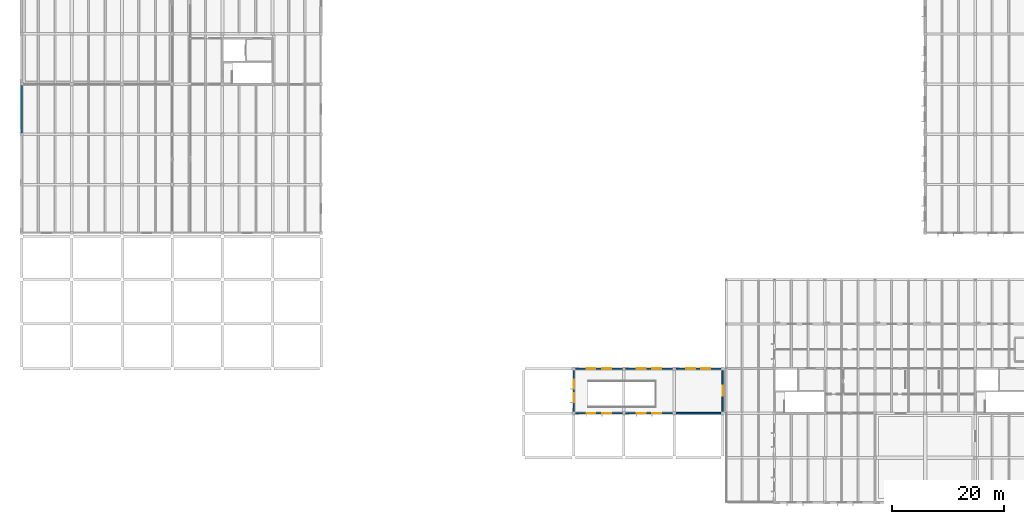
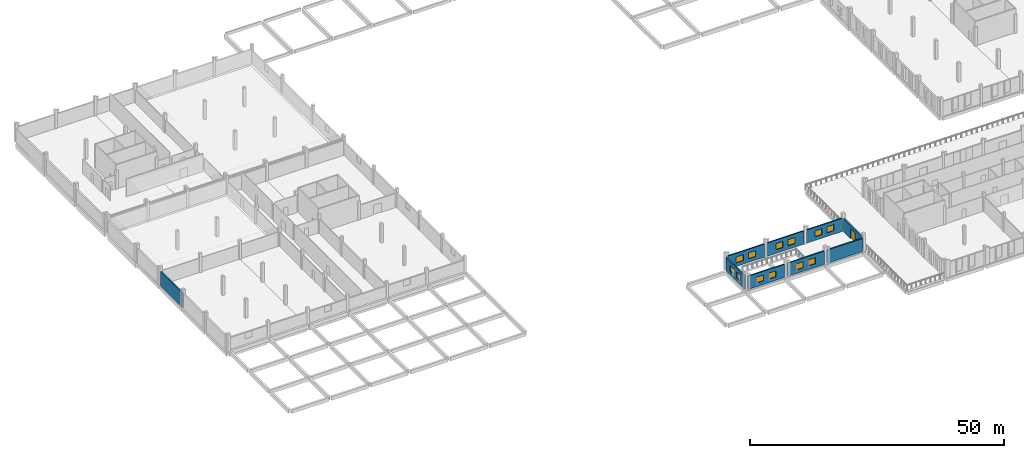
# One storey, part 9 of 25: 12 windows, 9 walls, 1 door, 13 openings.
"""IFC4 building model written with IfcOpenShell, lengths in metres."""

from ifc_helpers import new_model, si_unit, direction, frame, frame_2d, origin, place, context, subcontext, project, spatial, rectangle, extrude, material, layer, layer_set, type_object, element, fill, save


model = new_model("IFC4")

# Units and contexts
model_context = context("Model", 3, precision=1e-05, world=origin(), true_north=direction((0.0, 1.0)))
body_context = subcontext(model_context, "Body", "Model", "MODEL_VIEW")
ifc_project = project(units=[si_unit("LENGTHUNIT", "METRE"), si_unit("AREAUNIT", "SQUARE_METRE"), si_unit("VOLUMEUNIT", "CUBIC_METRE"), si_unit("PLANEANGLEUNIT", "RADIAN"), si_unit("MASSUNIT", "GRAM", prefix="KILO")], contexts=[model_context])

# Site, building, storey
site_placement = place(None, origin())
site = spatial("IfcSite", under=ifc_project, at=site_placement, CompositionType="ELEMENT")
building_placement = place(site_placement, origin())
building = spatial("IfcBuilding", under=site, at=building_placement, Name="Zacnel Wholesale Market", CompositionType="ELEMENT")
storey_placement = place(building_placement, frame((0.0, 0.0, 15.75)))
storey = spatial("IfcBuildingStorey", under=building, at=storey_placement, Name="L04", CompositionType="ELEMENT", Elevation=15.75)

# Wall
ifc_material_1 = material(Name="Precast concrete C40/50 (insulated sandwich panel)", Category="concrete")
ifc_layer_1 = layer(ifc_material_1, 0.320068359375)
ifc_layer_set_1 = layer_set([ifc_layer_1], Name="Precast concrete C40/50 (insulated sandwich panel)")
wall_type_1 = type_object("IfcWallType", Name="WL-EXT-COLD-320", PredefinedType="SOLIDWALL", material=ifc_layer_set_1)
wall_1_placement = place(storey_placement, frame((18.0, 66.27490234375, 0.0), z_axis=(0.0, 0.0, 1.0), x_axis=(0.0, 1.0, 0.0)))
element("IfcWall", 1, at=wall_1_placement, inside=storey, type_object=wall_type_1, Name="Exterior wall L04-0447", PredefinedType="SOLIDWALL", context=body_context, shape_type="SweptSolid", body=[
    extrude(rectangle(XDim=8.4501953125, YDim=0.320068359375, at=frame_2d((4.22509765625, 0.0))), origin(), (0.0, 0.0, 1.0), 3.449951171875),
])

# Wall, openings, windows
ifc_material_2 = material(Name="Precast concrete C40/50 (Cancun limestone aggregate)", Category="masonry")
ifc_layer_2 = layer(ifc_material_2, 0.300048828125)
ifc_layer_set_2 = layer_set([ifc_layer_2], Name="Precast concrete C40/50 (Cancun limestone aggregate)")
wall_type_2 = type_object("IfcWallType", Name="WL-EXT-LIME-300", PredefinedType="SOLIDWALL", material=ifc_layer_set_2)
wall_2_placement = place(storey_placement, frame((117.300048828125, 16.0, 0.0), z_axis=(0.0, 0.0, 1.0), x_axis=(1.0, 0.0, 0.0)))
wall_2 = element("IfcWall", 2, at=wall_2_placement, inside=storey, type_object=wall_type_2, Name="Exterior wall L04-0473", PredefinedType="SOLIDWALL", context=body_context, shape_type="SweptSolid", body=[
    extrude(rectangle(XDim=8.39990234375, YDim=0.300048828125, at=frame_2d((4.199951171875, 0.0))), origin(), (0.0, 0.0, 1.0), 3.14990234375),
])
opening_1_placement = place(wall_2_placement, frame((2.0, 0.0, 0.85009765625)))
opening_1 = element("IfcOpeningElement", 3, at=opening_1_placement, cuts=wall_2, Name="Opening W-06", PredefinedType="OPENING", context=body_context, shape_type="SweptSolid", body=[
    extrude(rectangle(XDim=1.60009765625, YDim=1.449951171875, at=frame_2d((0.800048828125, 0.72509765625))), frame((0.0, 0.159912109375, 0.0), z_axis=(0.0, -1.0, 0.0), x_axis=(1.0, 0.0, 0.0)), (0.0, 0.0, 1.0), 0.320068359375),
])
opening_2_placement = place(wall_2_placement, frame((4.800048828125, 0.0, 0.85009765625)))
opening_2 = element("IfcOpeningElement", 4, at=opening_2_placement, cuts=wall_2, Name="Opening W-06", PredefinedType="OPENING", context=body_context, shape_type="SweptSolid", body=[
    extrude(rectangle(XDim=1.60009765625, YDim=1.449951171875, at=frame_2d((0.800048828125, 0.72509765625))), frame((0.0, 0.159912109375, 0.0), z_axis=(0.0, -1.0, 0.0), x_axis=(1.0, 0.0, 0.0)), (0.0, 0.0, 1.0), 0.320068359375),
])
ifc_material_3 = material(Name="Laminated hurricane-impact low-E insulated glass", Category="glass")
window_type = type_object("IfcWindowType", Name="WIN-HIG-1600X1450", PartitioningType="DOUBLE_PANEL_HORIZONTAL", PredefinedType="WINDOW", material=ifc_material_3)
window_1_placement = place(opening_1_placement, origin())
window_1 = element("IfcWindow", 5, at=window_1_placement, inside=storey, type_object=window_type, Name="Window L04-0496", OverallHeight=1.449951171875, OverallWidth=1.60009765625, PartitioningType="DOUBLE_PANEL_HORIZONTAL", PredefinedType="WINDOW", context=body_context, shape_type="SweptSolid", body=[
    extrude(rectangle(XDim=1.60009765625, YDim=1.449951171875, at=frame_2d((0.800048828125, 0.72509765625))), frame((0.0, 0.030029296875, 0.0), z_axis=(0.0, -1.0, 0.0), x_axis=(1.0, 0.0, 0.0)), (0.0, 0.0, 1.0), 0.06005859375),
])
fill(opening_1, window_1)
window_2_placement = place(opening_2_placement, origin())
window_2 = element("IfcWindow", 6, at=window_2_placement, inside=storey, type_object=window_type, Name="Window L04-0497", OverallHeight=1.449951171875, OverallWidth=1.60009765625, PartitioningType="DOUBLE_PANEL_HORIZONTAL", PredefinedType="WINDOW", context=body_context, shape_type="SweptSolid", body=[
    extrude(rectangle(XDim=1.60009765625, YDim=1.449951171875, at=frame_2d((0.800048828125, 0.72509765625))), frame((0.0, 0.030029296875, 0.0), z_axis=(0.0, -1.0, 0.0), x_axis=(1.0, 0.0, 0.0)), (0.0, 0.0, 1.0), 0.06005859375),
])
fill(opening_2, window_2)

wall_3_placement = place(storey_placement, frame((126.300048828125, 16.0, 0.0), z_axis=(0.0, 0.0, 1.0), x_axis=(1.0, 0.0, 0.0)))
wall_3 = element("IfcWall", 7, at=wall_3_placement, inside=storey, type_object=wall_type_2, Name="Exterior wall L04-0474", PredefinedType="SOLIDWALL", context=body_context, shape_type="SweptSolid", body=[
    extrude(rectangle(XDim=8.39990234375, YDim=0.300048828125, at=frame_2d((4.199951171875, 0.0))), origin(), (0.0, 0.0, 1.0), 3.14990234375),
])
opening_3_placement = place(wall_3_placement, frame((2.0, 0.0, 0.85009765625)))
opening_3 = element("IfcOpeningElement", 8, at=opening_3_placement, cuts=wall_3, Name="Opening W-06", PredefinedType="OPENING", context=body_context, shape_type="SweptSolid", body=[
    extrude(rectangle(XDim=1.60009765625, YDim=1.449951171875, at=frame_2d((0.800048828125, 0.72509765625))), frame((0.0, 0.159912109375, 0.0), z_axis=(0.0, -1.0, 0.0), x_axis=(1.0, 0.0, 0.0)), (0.0, 0.0, 1.0), 0.320068359375),
])
opening_4_placement = place(wall_3_placement, frame((4.800048828125, 0.0, 0.85009765625)))
opening_4 = element("IfcOpeningElement", 9, at=opening_4_placement, cuts=wall_3, Name="Opening W-06", PredefinedType="OPENING", context=body_context, shape_type="SweptSolid", body=[
    extrude(rectangle(XDim=1.60009765625, YDim=1.449951171875, at=frame_2d((0.800048828125, 0.72509765625))), frame((0.0, 0.159912109375, 0.0), z_axis=(0.0, -1.0, 0.0), x_axis=(1.0, 0.0, 0.0)), (0.0, 0.0, 1.0), 0.320068359375),
])
window_3_placement = place(opening_3_placement, origin())
window_3 = element("IfcWindow", 10, at=window_3_placement, inside=storey, type_object=window_type, Name="Window L04-0498", OverallHeight=1.449951171875, OverallWidth=1.60009765625, PartitioningType="DOUBLE_PANEL_HORIZONTAL", PredefinedType="WINDOW", context=body_context, shape_type="SweptSolid", body=[
    extrude(rectangle(XDim=1.60009765625, YDim=1.449951171875, at=frame_2d((0.800048828125, 0.72509765625))), frame((0.0, 0.030029296875, 0.0), z_axis=(0.0, -1.0, 0.0), x_axis=(1.0, 0.0, 0.0)), (0.0, 0.0, 1.0), 0.06005859375),
])
fill(opening_3, window_3)
window_4_placement = place(opening_4_placement, origin())
window_4 = element("IfcWindow", 11, at=window_4_placement, inside=storey, type_object=window_type, Name="Window L04-0499", OverallHeight=1.449951171875, OverallWidth=1.60009765625, PartitioningType="DOUBLE_PANEL_HORIZONTAL", PredefinedType="WINDOW", context=body_context, shape_type="SweptSolid", body=[
    extrude(rectangle(XDim=1.60009765625, YDim=1.449951171875, at=frame_2d((0.800048828125, 0.72509765625))), frame((0.0, 0.030029296875, 0.0), z_axis=(0.0, -1.0, 0.0), x_axis=(1.0, 0.0, 0.0)), (0.0, 0.0, 1.0), 0.06005859375),
])
fill(opening_4, window_4)

# Wall
wall_4_placement = place(storey_placement, frame((135.300048828125, 16.0, 0.0), z_axis=(0.0, 0.0, 1.0), x_axis=(1.0, 0.0, 0.0)))
element("IfcWall", 12, at=wall_4_placement, inside=storey, type_object=wall_type_2, Name="Exterior wall L04-0475", PredefinedType="SOLIDWALL", context=body_context, shape_type="SweptSolid", body=[
    extrude(rectangle(XDim=8.099853515625, YDim=0.300048828125, at=frame_2d((4.0498046875, 0.0))), origin(), (0.0, 0.0, 1.0), 3.14990234375),
])

# Wall, openings, windows
wall_5_placement = place(storey_placement, frame((117.300048828125, 24.0, 0.0), z_axis=(0.0, 0.0, 1.0), x_axis=(1.0, 0.0, 0.0)))
wall_5 = element("IfcWall", 13, at=wall_5_placement, inside=storey, type_object=wall_type_2, Name="Exterior wall L04-0476", PredefinedType="SOLIDWALL", context=body_context, shape_type="SweptSolid", body=[
    extrude(rectangle(XDim=8.39990234375, YDim=0.300048828125, at=frame_2d((4.199951171875, 0.0))), origin(), (0.0, 0.0, 1.0), 3.14990234375),
])
opening_5_placement = place(wall_5_placement, frame((2.0, 0.0, 0.85009765625)))
opening_5 = element("IfcOpeningElement", 14, at=opening_5_placement, cuts=wall_5, Name="Opening W-06", PredefinedType="OPENING", context=body_context, shape_type="SweptSolid", body=[
    extrude(rectangle(XDim=1.60009765625, YDim=1.449951171875, at=frame_2d((0.800048828125, 0.72509765625))), frame((0.0, 0.159912109375, 0.0), z_axis=(0.0, -1.0, 0.0), x_axis=(1.0, 0.0, 0.0)), (0.0, 0.0, 1.0), 0.320068359375),
])
opening_6_placement = place(wall_5_placement, frame((4.800048828125, 0.0, 0.85009765625)))
opening_6 = element("IfcOpeningElement", 15, at=opening_6_placement, cuts=wall_5, Name="Opening W-06", PredefinedType="OPENING", context=body_context, shape_type="SweptSolid", body=[
    extrude(rectangle(XDim=1.60009765625, YDim=1.449951171875, at=frame_2d((0.800048828125, 0.72509765625))), frame((0.0, 0.159912109375, 0.0), z_axis=(0.0, -1.0, 0.0), x_axis=(1.0, 0.0, 0.0)), (0.0, 0.0, 1.0), 0.320068359375),
])
window_5_placement = place(opening_5_placement, origin())
window_5 = element("IfcWindow", 16, at=window_5_placement, inside=storey, type_object=window_type, Name="Window L04-0500", OverallHeight=1.449951171875, OverallWidth=1.60009765625, PartitioningType="DOUBLE_PANEL_HORIZONTAL", PredefinedType="WINDOW", context=body_context, shape_type="SweptSolid", body=[
    extrude(rectangle(XDim=1.60009765625, YDim=1.449951171875, at=frame_2d((0.800048828125, 0.72509765625))), frame((0.0, 0.030029296875, 0.0), z_axis=(0.0, -1.0, 0.0), x_axis=(1.0, 0.0, 0.0)), (0.0, 0.0, 1.0), 0.06005859375),
])
fill(opening_5, window_5)
window_6_placement = place(opening_6_placement, origin())
window_6 = element("IfcWindow", 17, at=window_6_placement, inside=storey, type_object=window_type, Name="Window L04-0501", OverallHeight=1.449951171875, OverallWidth=1.60009765625, PartitioningType="DOUBLE_PANEL_HORIZONTAL", PredefinedType="WINDOW", context=body_context, shape_type="SweptSolid", body=[
    extrude(rectangle(XDim=1.60009765625, YDim=1.449951171875, at=frame_2d((0.800048828125, 0.72509765625))), frame((0.0, 0.030029296875, 0.0), z_axis=(0.0, -1.0, 0.0), x_axis=(1.0, 0.0, 0.0)), (0.0, 0.0, 1.0), 0.06005859375),
])
fill(opening_6, window_6)

wall_6_placement = place(storey_placement, frame((126.300048828125, 24.0, 0.0), z_axis=(0.0, 0.0, 1.0), x_axis=(1.0, 0.0, 0.0)))
wall_6 = element("IfcWall", 18, at=wall_6_placement, inside=storey, type_object=wall_type_2, Name="Exterior wall L04-0477", PredefinedType="SOLIDWALL", context=body_context, shape_type="SweptSolid", body=[
    extrude(rectangle(XDim=8.39990234375, YDim=0.300048828125, at=frame_2d((4.199951171875, 0.0))), origin(), (0.0, 0.0, 1.0), 3.14990234375),
])
opening_7_placement = place(wall_6_placement, frame((2.0, 0.0, 0.85009765625)))
opening_7 = element("IfcOpeningElement", 19, at=opening_7_placement, cuts=wall_6, Name="Opening W-06", PredefinedType="OPENING", context=body_context, shape_type="SweptSolid", body=[
    extrude(rectangle(XDim=1.60009765625, YDim=1.449951171875, at=frame_2d((0.800048828125, 0.72509765625))), frame((0.0, 0.159912109375, 0.0), z_axis=(0.0, -1.0, 0.0), x_axis=(1.0, 0.0, 0.0)), (0.0, 0.0, 1.0), 0.320068359375),
])
opening_8_placement = place(wall_6_placement, frame((4.800048828125, 0.0, 0.85009765625)))
opening_8 = element("IfcOpeningElement", 20, at=opening_8_placement, cuts=wall_6, Name="Opening W-06", PredefinedType="OPENING", context=body_context, shape_type="SweptSolid", body=[
    extrude(rectangle(XDim=1.60009765625, YDim=1.449951171875, at=frame_2d((0.800048828125, 0.72509765625))), frame((0.0, 0.159912109375, 0.0), z_axis=(0.0, -1.0, 0.0), x_axis=(1.0, 0.0, 0.0)), (0.0, 0.0, 1.0), 0.320068359375),
])
window_7_placement = place(opening_7_placement, origin())
window_7 = element("IfcWindow", 21, at=window_7_placement, inside=storey, type_object=window_type, Name="Window L04-0502", OverallHeight=1.449951171875, OverallWidth=1.60009765625, PartitioningType="DOUBLE_PANEL_HORIZONTAL", PredefinedType="WINDOW", context=body_context, shape_type="SweptSolid", body=[
    extrude(rectangle(XDim=1.60009765625, YDim=1.449951171875, at=frame_2d((0.800048828125, 0.72509765625))), frame((0.0, 0.030029296875, 0.0), z_axis=(0.0, -1.0, 0.0), x_axis=(1.0, 0.0, 0.0)), (0.0, 0.0, 1.0), 0.06005859375),
])
fill(opening_7, window_7)
window_8_placement = place(opening_8_placement, origin())
window_8 = element("IfcWindow", 22, at=window_8_placement, inside=storey, type_object=window_type, Name="Window L04-0503", OverallHeight=1.449951171875, OverallWidth=1.60009765625, PartitioningType="DOUBLE_PANEL_HORIZONTAL", PredefinedType="WINDOW", context=body_context, shape_type="SweptSolid", body=[
    extrude(rectangle(XDim=1.60009765625, YDim=1.449951171875, at=frame_2d((0.800048828125, 0.72509765625))), frame((0.0, 0.030029296875, 0.0), z_axis=(0.0, -1.0, 0.0), x_axis=(1.0, 0.0, 0.0)), (0.0, 0.0, 1.0), 0.06005859375),
])
fill(opening_8, window_8)

wall_7_placement = place(storey_placement, frame((135.300048828125, 24.0, 0.0), z_axis=(0.0, 0.0, 1.0), x_axis=(1.0, 0.0, 0.0)))
wall_7 = element("IfcWall", 23, at=wall_7_placement, inside=storey, type_object=wall_type_2, Name="Exterior wall L04-0478", PredefinedType="SOLIDWALL", context=body_context, shape_type="SweptSolid", body=[
    extrude(rectangle(XDim=8.099853515625, YDim=0.300048828125, at=frame_2d((4.0498046875, 0.0))), origin(), (0.0, 0.0, 1.0), 3.14990234375),
])
opening_9_placement = place(wall_7_placement, frame((1.89990234375, 0.0, 0.85009765625)))
opening_9 = element("IfcOpeningElement", 24, at=opening_9_placement, cuts=wall_7, Name="Opening W-06", PredefinedType="OPENING", context=body_context, shape_type="SweptSolid", body=[
    extrude(rectangle(XDim=1.60009765625, YDim=1.449951171875, at=frame_2d((0.800048828125, 0.72509765625))), frame((0.0, 0.159912109375, 0.0), z_axis=(0.0, -1.0, 0.0), x_axis=(1.0, 0.0, 0.0)), (0.0, 0.0, 1.0), 0.320068359375),
])
opening_10_placement = place(wall_7_placement, frame((4.60009765625, 0.0, 0.85009765625)))
opening_10 = element("IfcOpeningElement", 25, at=opening_10_placement, cuts=wall_7, Name="Opening W-06", PredefinedType="OPENING", context=body_context, shape_type="SweptSolid", body=[
    extrude(rectangle(XDim=1.60009765625, YDim=1.449951171875, at=frame_2d((0.800048828125, 0.72509765625))), frame((0.0, 0.159912109375, 0.0), z_axis=(0.0, -1.0, 0.0), x_axis=(1.0, 0.0, 0.0)), (0.0, 0.0, 1.0), 0.320068359375),
])
window_9_placement = place(opening_9_placement, origin())
window_9 = element("IfcWindow", 26, at=window_9_placement, inside=storey, type_object=window_type, Name="Window L04-0504", OverallHeight=1.449951171875, OverallWidth=1.60009765625, PartitioningType="DOUBLE_PANEL_HORIZONTAL", PredefinedType="WINDOW", context=body_context, shape_type="SweptSolid", body=[
    extrude(rectangle(XDim=1.60009765625, YDim=1.449951171875, at=frame_2d((0.800048828125, 0.72509765625))), frame((0.0, 0.030029296875, 0.0), z_axis=(0.0, -1.0, 0.0), x_axis=(1.0, 0.0, 0.0)), (0.0, 0.0, 1.0), 0.06005859375),
])
fill(opening_9, window_9)
window_10_placement = place(opening_10_placement, origin())
window_10 = element("IfcWindow", 27, at=window_10_placement, inside=storey, type_object=window_type, Name="Window L04-0505", OverallHeight=1.449951171875, OverallWidth=1.60009765625, PartitioningType="DOUBLE_PANEL_HORIZONTAL", PredefinedType="WINDOW", context=body_context, shape_type="SweptSolid", body=[
    extrude(rectangle(XDim=1.60009765625, YDim=1.449951171875, at=frame_2d((0.800048828125, 0.72509765625))), frame((0.0, 0.030029296875, 0.0), z_axis=(0.0, -1.0, 0.0), x_axis=(1.0, 0.0, 0.0)), (0.0, 0.0, 1.0), 0.06005859375),
])
fill(opening_10, window_10)

wall_8_placement = place(storey_placement, frame((117.0, 16.300048828125, 0.0), z_axis=(0.0, 0.0, 1.0), x_axis=(0.0, 1.0, 0.0)))
wall_8 = element("IfcWall", 28, at=wall_8_placement, inside=storey, type_object=wall_type_2, Name="Exterior wall L04-0479", PredefinedType="SOLIDWALL", context=body_context, shape_type="SweptSolid", body=[
    extrude(rectangle(XDim=7.39990234375, YDim=0.300048828125, at=frame_2d((3.699951171875, 0.0))), origin(), (0.0, 0.0, 1.0), 3.14990234375),
])
opening_11_placement = place(wall_8_placement, frame((1.6669921875, 0.0, 0.85009765625)))
opening_11 = element("IfcOpeningElement", 29, at=opening_11_placement, cuts=wall_8, Name="Opening W-06", PredefinedType="OPENING", context=body_context, shape_type="SweptSolid", body=[
    extrude(rectangle(XDim=1.60009765625, YDim=1.449951171875, at=frame_2d((0.800048828125, 0.72509765625))), frame((0.0, 0.159912109375, 0.0), z_axis=(0.0, -1.0, 0.0), x_axis=(1.0, 0.0, 0.0)), (0.0, 0.0, 1.0), 0.320068359375),
])
opening_12_placement = place(wall_8_placement, frame((4.133056640625, 0.0, 0.85009765625)))
opening_12 = element("IfcOpeningElement", 30, at=opening_12_placement, cuts=wall_8, Name="Opening W-06", PredefinedType="OPENING", context=body_context, shape_type="SweptSolid", body=[
    extrude(rectangle(XDim=1.60009765625, YDim=1.449951171875, at=frame_2d((0.800048828125, 0.72509765625))), frame((0.0, 0.159912109375, 0.0), z_axis=(0.0, -1.0, 0.0), x_axis=(1.0, 0.0, 0.0)), (0.0, 0.0, 1.0), 0.320068359375),
])
window_11_placement = place(opening_11_placement, origin())
window_11 = element("IfcWindow", 31, at=window_11_placement, inside=storey, type_object=window_type, Name="Window L04-0506", OverallHeight=1.449951171875, OverallWidth=1.60009765625, PartitioningType="DOUBLE_PANEL_HORIZONTAL", PredefinedType="WINDOW", context=body_context, shape_type="SweptSolid", body=[
    extrude(rectangle(XDim=1.60009765625, YDim=1.449951171875, at=frame_2d((0.800048828125, 0.72509765625))), frame((0.0, 0.030029296875, 0.0), z_axis=(0.0, -1.0, 0.0), x_axis=(1.0, 0.0, 0.0)), (0.0, 0.0, 1.0), 0.06005859375),
])
fill(opening_11, window_11)
window_12_placement = place(opening_12_placement, origin())
window_12 = element("IfcWindow", 32, at=window_12_placement, inside=storey, type_object=window_type, Name="Window L04-0507", OverallHeight=1.449951171875, OverallWidth=1.60009765625, PartitioningType="DOUBLE_PANEL_HORIZONTAL", PredefinedType="WINDOW", context=body_context, shape_type="SweptSolid", body=[
    extrude(rectangle(XDim=1.60009765625, YDim=1.449951171875, at=frame_2d((0.800048828125, 0.72509765625))), frame((0.0, 0.030029296875, 0.0), z_axis=(0.0, -1.0, 0.0), x_axis=(1.0, 0.0, 0.0)), (0.0, 0.0, 1.0), 0.06005859375),
])
fill(opening_12, window_12)

# Wall, opening, door
wall_9_placement = place(storey_placement, frame((143.699951171875, 16.300048828125, 0.0), z_axis=(0.0, 0.0, 1.0), x_axis=(0.0, 1.0, 0.0)))
wall_9 = element("IfcWall", 33, at=wall_9_placement, inside=storey, type_object=wall_type_2, Name="Exterior wall L04-0480", PredefinedType="SOLIDWALL", context=body_context, shape_type="SweptSolid", body=[
    extrude(rectangle(XDim=7.39990234375, YDim=0.300048828125, at=frame_2d((3.699951171875, 0.0))), origin(), (0.0, 0.0, 1.0), 3.14990234375),
])
opening_13_placement = place(wall_9_placement, frame((2.800048828125, 0.0, 0.0)))
opening_13 = element("IfcOpeningElement", 34, at=opening_13_placement, cuts=wall_9, Name="Opening ED-03", PredefinedType="OPENING", context=body_context, shape_type="SweptSolid", body=[
    extrude(rectangle(XDim=1.800048828125, YDim=2.39990234375, at=frame_2d((0.89990234375, 1.199951171875))), frame((0.0, 0.159912109375, 0.0), z_axis=(0.0, -1.0, 0.0), x_axis=(1.0, 0.0, 0.0)), (0.0, 0.0, 1.0), 0.320068359375),
])
ifc_material_4 = material(Name="Anodised aluminium", Category="aluminium")
door_type = type_object("IfcDoorType", Name="DR-EXT-TERR-1800", OperationType="NOTDEFINED", PredefinedType="DOOR", material=ifc_material_4)
door_placement = place(opening_13_placement, origin())
door = element("IfcDoor", 35, at=door_placement, inside=storey, type_object=door_type, Name="Terrace access door L04-059", OperationType="DOUBLE_DOOR_SINGLE_SWING", OverallHeight=2.39990234375, OverallWidth=1.800048828125, PredefinedType="DOOR", context=body_context, shape_type="SweptSolid", body=[
    extrude(rectangle(XDim=1.800048828125, YDim=2.39990234375, at=frame_2d((0.89990234375, 1.199951171875))), frame((0.0, 0.02490234375, 0.0), z_axis=(0.0, -1.0, 0.0), x_axis=(1.0, 0.0, 0.0)), (0.0, 0.0, 1.0), 0.050048828125),
])
fill(opening_13, door)

save(model, "model.ifc")
